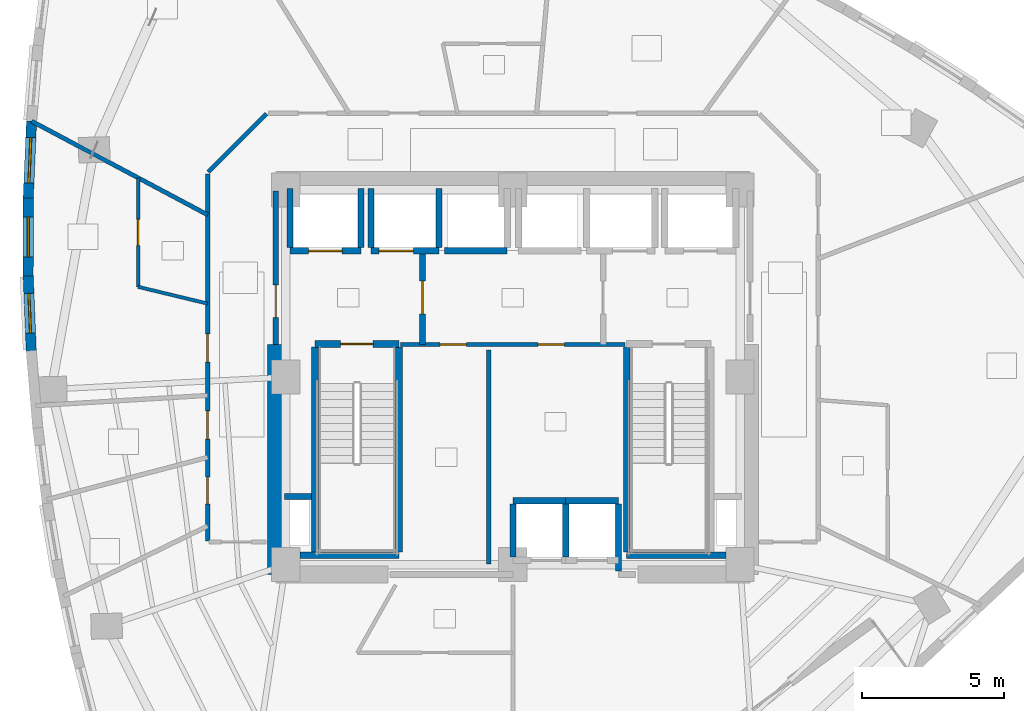
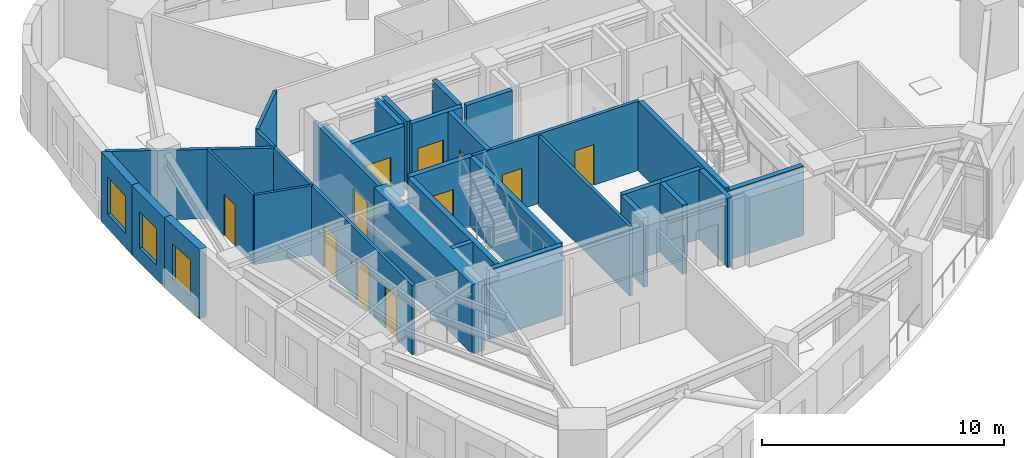
# One storey, part 6 of 12: 32 walls, 11 doors, 3 windows, 14 openings.
"""IFC4 building model written with IfcOpenShell, lengths in metres."""

from ifc_helpers import new_model, si_unit, direction, frame, frame_2d, origin, place, context, subcontext, project, spatial, rectangle, extrude, material, layer, layer_set, type_object, element, fill, save


model = new_model("IFC4")

# Units and contexts
model_context = context("Model", 3, precision=1e-05, world=origin(), true_north=direction((0.0, 1.0)))
body_context = subcontext(model_context, "Body", "Model", "MODEL_VIEW")
ifc_project = project(units=[si_unit("LENGTHUNIT", "METRE"), si_unit("AREAUNIT", "SQUARE_METRE"), si_unit("VOLUMEUNIT", "CUBIC_METRE"), si_unit("PLANEANGLEUNIT", "RADIAN"), si_unit("MASSUNIT", "GRAM", prefix="KILO")], contexts=[model_context])

# Site, building, storey
site_placement = place(None, origin())
site = spatial("IfcSite", under=ifc_project, at=site_placement, CompositionType="ELEMENT")
building_placement = place(site_placement, origin())
building = spatial("IfcBuilding", under=site, at=building_placement, Name="Ndelora Gate Hotel", CompositionType="ELEMENT")
storey_placement = place(building_placement, frame((0.0, 0.0, 149.75)))
storey = spatial("IfcBuildingStorey", under=building, at=storey_placement, Name="L37", CompositionType="ELEMENT", Elevation=149.75)

# Wall, opening, window
ifc_material_1 = material(Name="Clay Brick Masonry", Category="masonry")
ifc_layer_1 = layer(ifc_material_1, 0.360107421875)
ifc_layer_set_1 = layer_set([ifc_layer_1], Name="Clay Brick Masonry")
wall_type_1 = type_object("IfcWallType", Name="WL-BRICK-360", PredefinedType="SOLIDWALL", material=ifc_layer_set_1)
wall_1_placement = place(storey_placement, frame((-17.069580078125, 6.26220703125, 0.0), z_axis=(0.0, 0.0, 1.0), x_axis=(0.043014721574, 0.999074438532, 0.0)))
wall_1 = element("IfcWall", 1, at=wall_1_placement, inside=storey, type_object=wall_type_1, Name="L37 Tower Brick Pier-and-Spandrel Wall TWR-11", PredefinedType="SOLIDWALL", context=body_context, shape_type="SweptSolid", body=[
    extrude(rectangle(XDim=2.75830078125, YDim=0.360107421875, at=frame_2d((1.379150390625, 0.0))), origin(), (0.0, 0.0, 1.0), 3.5),
])
opening_1_placement = place(wall_1_placement, frame((0.5791015625, 0.0, 0.719970703125)))
opening_1 = element("IfcOpeningElement", 2, at=opening_1_placement, cuts=wall_1, Name="Opening W01", PredefinedType="OPENING", context=body_context, shape_type="SweptSolid", body=[
    extrude(rectangle(XDim=1.60009765625, YDim=1.8798828125, at=frame_2d((0.800048828125, 0.93994140625))), frame((0.0, 0.18994140625, 0.0), z_axis=(0.0, -1.0, 0.0), x_axis=(1.0, 0.0, 0.0)), (0.0, 0.0, 1.0), 0.380126953125),
])
ifc_material_2 = material(Name="Insulated Low-E Double Glazing in Bronze Aluminium Frame", Category="aluminium")
window_type_1 = type_object("IfcWindowType", Name="WN-DEEP-1600", PartitioningType="SINGLE_PANEL", PredefinedType="WINDOW", material=ifc_material_2)
window_1_placement = place(opening_1_placement, origin())
window_1 = element("IfcWindow", 3, at=window_1_placement, inside=storey, type_object=window_type_1, Name="L37 Deep-Set Brick-Pier Window W01", OverallHeight=1.8798828125, OverallWidth=1.60009765625, PartitioningType="SINGLE_PANEL", PredefinedType="WINDOW", context=body_context, shape_type="SweptSolid", body=[
    extrude(rectangle(XDim=1.60009765625, YDim=1.8798828125, at=frame_2d((0.800048828125, 0.93994140625))), frame((0.0, 0.030029296875, 0.0), z_axis=(0.0, -1.0, 0.0), x_axis=(1.0, 0.0, 0.0)), (0.0, 0.0, 1.0), 0.06005859375),
])
fill(opening_1, window_1)

wall_2_placement = place(storey_placement, frame((-17.071533203125, 3.568115234375, 0.0), z_axis=(0.0, 0.0, 1.0), x_axis=(0.001156582856, 0.999999331158, 0.0)))
wall_2 = element("IfcWall", 4, at=wall_2_placement, inside=storey, type_object=wall_type_1, Name="L37 Tower Brick Pier-and-Spandrel Wall TWR-12", PredefinedType="SOLIDWALL", context=body_context, shape_type="SweptSolid", body=[
    extrude(rectangle(XDim=2.744140625, YDim=0.360107421875, at=frame_2d((1.3720703125, 0.0))), origin(), (0.0, 0.0, 1.0), 3.5),
])
opening_2_placement = place(wall_2_placement, frame((0.672119140625, 0.0, 0.719970703125)))
opening_2 = element("IfcOpeningElement", 5, at=opening_2_placement, cuts=wall_2, Name="Opening W02", PredefinedType="OPENING", context=body_context, shape_type="SweptSolid", body=[
    extrude(rectangle(XDim=1.39990234375, YDim=1.840087890625, at=frame_2d((0.699951171875, 0.919921875))), frame((0.0, 0.18994140625, 0.0), z_axis=(0.0, -1.0, 0.0), x_axis=(1.0, 0.0, 0.0)), (0.0, 0.0, 1.0), 0.380126953125),
])
window_type_2 = type_object("IfcWindowType", Name="WN-DEEP-1400", PartitioningType="SINGLE_PANEL", PredefinedType="WINDOW", material=ifc_material_2)
window_2_placement = place(opening_2_placement, origin())
window_2 = element("IfcWindow", 6, at=window_2_placement, inside=storey, type_object=window_type_2, Name="L37 Deep-Set Brick-Pier Window W02", OverallHeight=1.840087890625, OverallWidth=1.39990234375, PartitioningType="SINGLE_PANEL", PredefinedType="WINDOW", context=body_context, shape_type="SweptSolid", body=[
    extrude(rectangle(XDim=1.39990234375, YDim=1.840087890625, at=frame_2d((0.699951171875, 0.919921875))), frame((0.0, 0.030029296875, 0.0), z_axis=(0.0, -1.0, 0.0), x_axis=(1.0, 0.0, 0.0)), (0.0, 0.0, 1.0), 0.06005859375),
])
fill(opening_2, window_2)

wall_3_placement = place(storey_placement, frame((-16.96044921875, 0.885986328125, 0.0), z_axis=(0.0, 0.0, 1.0), x_axis=(-0.040980646294, 0.999159940465, 0.0)))
wall_3 = element("IfcWall", 7, at=wall_3_placement, inside=storey, type_object=wall_type_1, Name="L37 Tower Brick Pier-and-Spandrel Wall TWR-13", PredefinedType="SOLIDWALL", context=body_context, shape_type="SweptSolid", body=[
    extrude(rectangle(XDim=2.734375, YDim=0.360107421875, at=frame_2d((1.3671875, 0.0))), origin(), (0.0, 0.0, 1.0), 3.5),
])
opening_3_placement = place(wall_3_placement, frame((0.667236328125, 0.0, 0.719970703125)))
opening_3 = element("IfcOpeningElement", 8, at=opening_3_placement, cuts=wall_3, Name="Opening W02", PredefinedType="OPENING", context=body_context, shape_type="SweptSolid", body=[
    extrude(rectangle(XDim=1.39990234375, YDim=1.840087890625, at=frame_2d((0.699951171875, 0.919921875))), frame((0.0, 0.18994140625, 0.0), z_axis=(0.0, -1.0, 0.0), x_axis=(1.0, 0.0, 0.0)), (0.0, 0.0, 1.0), 0.380126953125),
])
window_3_placement = place(opening_3_placement, origin())
window_3 = element("IfcWindow", 9, at=window_3_placement, inside=storey, type_object=window_type_2, Name="L37 Deep-Set Brick-Pier Window W02", OverallHeight=1.840087890625, OverallWidth=1.39990234375, PartitioningType="SINGLE_PANEL", PredefinedType="WINDOW", context=body_context, shape_type="SweptSolid", body=[
    extrude(rectangle(XDim=1.39990234375, YDim=1.840087890625, at=frame_2d((0.699951171875, 0.919921875))), frame((0.0, 0.030029296875, 0.0), z_axis=(0.0, -1.0, 0.0), x_axis=(1.0, 0.0, 0.0)), (0.0, 0.0, 1.0), 0.06005859375),
])
fill(opening_3, window_3)

# Wall
ifc_material_3 = material(Name="Concrete C60/75", Category="concrete")
ifc_layer_2 = layer(ifc_material_3, 0.60009765625)
ifc_layer_set_2 = layer_set([ifc_layer_2], Name="Concrete C60/75")
wall_type_2 = type_object("IfcWallType", Name="WL-CORE-600", PredefinedType="SHEAR", material=ifc_layer_set_2)
wall_4_placement = place(storey_placement, frame((-8.35009765625, -6.949951171875, 0.0), z_axis=(0.0, 0.0, 1.0), x_axis=(0.0, 1.0, 0.0)))
element("IfcWall", 10, at=wall_4_placement, inside=storey, type_object=wall_type_2, Name="L37 Core Shear Wall W", PredefinedType="SHEAR", context=body_context, shape_type="SweptSolid", body=[
    extrude(rectangle(XDim=8.099853515625, YDim=0.60009765625, at=frame_2d((4.0498046875, 0.0))), origin(), (0.0, 0.0, 1.0), 3.5),
])

# Wall, opening, door
ifc_material_4 = material(Name="Concrete C40/50", Category="concrete")
ifc_layer_3 = layer(ifc_material_4, 0.199951171875)
ifc_layer_set_3 = layer_set([ifc_layer_3], Name="Concrete C40/50")
wall_type_3 = type_object("IfcWallType", Name="WL-FIRE-200", PredefinedType="PARTITIONING", material=ifc_layer_set_3)
wall_5_placement = place(storey_placement, frame((-3.179931640625, 1.14990234375, 0.0), z_axis=(0.0, 0.0, 1.0), x_axis=(0.0, 1.0, 0.0)))
wall_5 = element("IfcWall", 11, at=wall_5_placement, inside=storey, type_object=wall_type_3, Name="L37 Interior Wall IW-2", PredefinedType="PARTITIONING", context=body_context, shape_type="SweptSolid", body=[
    extrude(rectangle(XDim=3.300048828125, YDim=0.199951171875, at=frame_2d((1.64990234375, 0.0))), origin(), (0.0, 0.0, 1.0), 3.5),
])
opening_4_placement = place(wall_5_placement, frame((1.080078125, 0.0, 0.0)))
opening_4 = element("IfcOpeningElement", 12, at=opening_4_placement, cuts=wall_5, Name="Opening FD1", PredefinedType="OPENING", context=body_context, shape_type="SweptSolid", body=[
    extrude(rectangle(XDim=1.14990234375, YDim=2.14990234375, at=frame_2d((0.574951171875, 1.074951171875))), frame((0.0, 0.10986328125, 0.0), z_axis=(0.0, -1.0, 0.0), x_axis=(1.0, 0.0, 0.0)), (0.0, 0.0, 1.0), 0.219970703125),
])
ifc_material_5 = material(Name="Fire-Rated Timber-Veneer Steel Core", Category="steel")
door_type_1 = type_object("IfcDoorType", Name="DR-FD60", OperationType="SINGLE_SWING_LEFT", PredefinedType="DOOR", material=ifc_material_5)
door_1_placement = place(opening_4_placement, origin())
door_1 = element("IfcDoor", 13, at=door_1_placement, inside=storey, type_object=door_type_1, Name="L37 Firefighting Lobby West Door", OperationType="SINGLE_SWING_RIGHT", OverallHeight=2.14990234375, OverallWidth=1.14990234375, PredefinedType="DOOR", context=body_context, shape_type="SweptSolid", body=[
    extrude(rectangle(XDim=1.14990234375, YDim=2.14990234375, at=frame_2d((0.574951171875, 1.074951171875))), frame((0.0, 0.02490234375, 0.0), z_axis=(0.0, -1.0, 0.0), x_axis=(1.0, 0.0, 0.0)), (0.0, 0.0, 1.0), 0.050048828125),
])
fill(opening_4, door_1)

wall_6_placement = place(storey_placement, frame((-8.35009765625, 1.14990234375, 0.0), z_axis=(0.0, 0.0, 1.0), x_axis=(0.0, 1.0, 0.0)))
wall_6 = element("IfcWall", 14, at=wall_6_placement, inside=storey, type_object=wall_type_3, Name="L37 Interior Wall IW-2", PredefinedType="PARTITIONING", context=body_context, shape_type="SweptSolid", body=[
    extrude(rectangle(XDim=5.400146484375, YDim=0.199951171875, at=frame_2d((2.7001953125, 0.0))), origin(), (0.0, 0.0, 1.0), 3.5),
])
opening_5_placement = place(wall_6_placement, frame((0.949951171875, 0.0, 0.0)))
opening_5 = element("IfcOpeningElement", 15, at=opening_5_placement, cuts=wall_6, Name="Opening FD1", PredefinedType="OPENING", context=body_context, shape_type="SweptSolid", body=[
    extrude(rectangle(XDim=1.14990234375, YDim=2.14990234375, at=frame_2d((0.574951171875, 1.074951171875))), frame((0.0, 0.10986328125, 0.0), z_axis=(0.0, -1.0, 0.0), x_axis=(1.0, 0.0, 0.0)), (0.0, 0.0, 1.0), 0.219970703125),
])
door_2_placement = place(opening_5_placement, origin())
door_2 = element("IfcDoor", 16, at=door_2_placement, inside=storey, type_object=door_type_1, Name="L37 Firefighting Lobby West Corridor Door", OperationType="SINGLE_SWING_LEFT", OverallHeight=2.14990234375, OverallWidth=1.14990234375, PredefinedType="DOOR", context=body_context, shape_type="SweptSolid", body=[
    extrude(rectangle(XDim=1.14990234375, YDim=2.14990234375, at=frame_2d((0.574951171875, 1.074951171875))), frame((0.0, 0.02490234375, 0.0), z_axis=(0.0, -1.0, 0.0), x_axis=(1.0, 0.0, 0.0)), (0.0, 0.0, 1.0), 0.050048828125),
])
fill(opening_5, door_2)

# Wall, openings, doors
ifc_material_6 = material(Name="Fire-Rated Gypsum Stud Partition", Category="gypsum")
ifc_layer_4 = layer(ifc_material_6, 0.14990234375)
ifc_layer_set_4 = layer_set([ifc_layer_4], Name="Fire-Rated Gypsum Stud Partition")
wall_type_4 = type_object("IfcWallType", Name="WL-PART-150", PredefinedType="PARTITIONING", material=ifc_layer_set_4)
wall_7_placement = place(storey_placement, frame((3.949951171875, 1.14990234375, 0.0), z_axis=(0.0, 0.0, 1.0), x_axis=(-1.0, 0.0, 0.0)))
wall_7 = element("IfcWall", 17, at=wall_7_placement, inside=storey, type_object=wall_type_4, Name="L37 Interior Wall IW-5", PredefinedType="PARTITIONING", context=body_context, shape_type="SweptSolid", body=[
    extrude(rectangle(XDim=7.89990234375, YDim=0.14990234375, at=frame_2d((3.949951171875, 0.0))), origin(), (0.0, 0.0, 1.0), 3.5),
])
opening_6_placement = place(wall_7_placement, frame((5.590087890625, 0.0, 0.0)))
opening_6 = element("IfcOpeningElement", 18, at=opening_6_placement, cuts=wall_7, Name="Opening D04", PredefinedType="OPENING", context=body_context, shape_type="SweptSolid", body=[
    extrude(rectangle(XDim=0.919921875, YDim=2.050048828125, at=frame_2d((0.4599609375, 1.02490234375))), frame((0.0, 0.0849609375, 0.0), z_axis=(0.0, -1.0, 0.0), x_axis=(1.0, 0.0, 0.0)), (0.0, 0.0, 1.0), 0.169921875),
])
opening_7_placement = place(wall_7_placement, frame((2.139892578125, 0.0, 0.0)))
opening_7 = element("IfcOpeningElement", 19, at=opening_7_placement, cuts=wall_7, Name="Opening D04", PredefinedType="OPENING", context=body_context, shape_type="SweptSolid", body=[
    extrude(rectangle(XDim=0.919921875, YDim=2.050048828125, at=frame_2d((0.4599609375, 1.02490234375))), frame((0.0, 0.0849609375, 0.0), z_axis=(0.0, -1.0, 0.0), x_axis=(1.0, 0.0, 0.0)), (0.0, 0.0, 1.0), 0.169921875),
])
ifc_material_7 = material(Name="Painted Steel Core Service Door", Category="steel")
door_type_2 = type_object("IfcDoorType", Name="DR-SER-920", OperationType="SINGLE_SWING_LEFT", PredefinedType="DOOR", material=ifc_material_7)
door_3_placement = place(opening_6_placement, origin())
door_3 = element("IfcDoor", 20, at=door_3_placement, inside=storey, type_object=door_type_2, Name="L37 Core Electrical Switchroom Door", OperationType="SINGLE_SWING_LEFT", OverallHeight=2.050048828125, OverallWidth=0.919921875, PredefinedType="DOOR", context=body_context, shape_type="SweptSolid", body=[
    extrude(rectangle(XDim=0.919921875, YDim=2.050048828125, at=frame_2d((0.4599609375, 1.02490234375))), frame((0.0, 0.02490234375, 0.0), z_axis=(0.0, -1.0, 0.0), x_axis=(1.0, 0.0, 0.0)), (0.0, 0.0, 1.0), 0.050048828125),
])
fill(opening_6, door_3)
door_4_placement = place(opening_7_placement, origin())
door_4 = element("IfcDoor", 21, at=door_4_placement, inside=storey, type_object=door_type_2, Name="L37 Central Linen Equipment Store Door", OperationType="SINGLE_SWING_RIGHT", OverallHeight=2.050048828125, OverallWidth=0.919921875, PredefinedType="DOOR", context=body_context, shape_type="SweptSolid", body=[
    extrude(rectangle(XDim=0.919921875, YDim=2.050048828125, at=frame_2d((0.4599609375, 1.02490234375))), frame((0.0, 0.02490234375, 0.0), z_axis=(0.0, -1.0, 0.0), x_axis=(1.0, 0.0, 0.0)), (0.0, 0.0, 1.0), 0.050048828125),
])
fill(opening_7, door_4)

# Walls
wall_8_placement = place(storey_placement, frame((-0.85009765625, -6.580078125, 0.0), z_axis=(0.0, 0.0, 1.0), x_axis=(0.0, 1.0, 0.0)))
element("IfcWall", 22, at=wall_8_placement, inside=storey, type_object=wall_type_4, Name="L37 Interior Wall IW-5", PredefinedType="PARTITIONING", context=body_context, shape_type="SweptSolid", body=[
    extrude(rectangle(XDim=7.530029296875, YDim=0.14990234375, at=frame_2d((3.76513671875, 0.0))), origin(), (0.0, 0.0, 1.0), 3.5),
])
wall_9_placement = place(storey_placement, frame((-10.7216796875, 7.228271484375, 0.0), z_axis=(0.0, 0.0, 1.0), x_axis=(0.707106781187, 0.707106781187, 0.0)))
element("IfcWall", 23, at=wall_9_placement, inside=storey, type_object=wall_type_4, Name="L37 Interior Wall IW-5", PredefinedType="PARTITIONING", context=body_context, shape_type="SweptSolid", body=[
    extrude(rectangle(XDim=2.889892578125, YDim=0.14990234375, at=frame_2d((1.44482421875, 0.0))), origin(), (0.0, 0.0, 1.0), 3.5),
])

# Wall, openings, doors
wall_10_placement = place(storey_placement, frame((-10.75, -5.760009765625, 0.0), z_axis=(0.0, 0.0, 1.0), x_axis=(0.0, 1.0, 0.0)))
wall_10 = element("IfcWall", 24, at=wall_10_placement, inside=storey, type_object=wall_type_4, Name="L37 Interior Wall IW-5", PredefinedType="PARTITIONING", context=body_context, shape_type="SweptSolid", body=[
    extrude(rectangle(XDim=12.919921875, YDim=0.14990234375, at=frame_2d((6.4599609375, 0.0))), origin(), (0.0, 0.0, 1.0), 3.5),
])
opening_8_placement = place(wall_10_placement, frame((1.29345703125, 0.0, 0.0)))
opening_8 = element("IfcOpeningElement", 25, at=opening_8_placement, cuts=wall_10, Name="Opening D05", PredefinedType="OPENING", context=body_context, shape_type="SweptSolid", body=[
    extrude(rectangle(XDim=0.949951171875, YDim=2.10009765625, at=frame_2d((0.47509765625, 1.050048828125))), frame((0.0, 0.0849609375, 0.0), z_axis=(0.0, -1.0, 0.0), x_axis=(1.0, 0.0, 0.0)), (0.0, 0.0, 1.0), 0.169921875),
])
opening_9_placement = place(wall_10_placement, frame((3.575439453125, 0.0, 0.0)))
opening_9 = element("IfcOpeningElement", 26, at=opening_9_placement, cuts=wall_10, Name="Opening D01", PredefinedType="OPENING", context=body_context, shape_type="SweptSolid", body=[
    extrude(rectangle(XDim=1.0, YDim=2.14990234375, at=frame_2d((0.5, 1.074951171875))), frame((0.0, 0.0849609375, 0.0), z_axis=(0.0, -1.0, 0.0), x_axis=(1.0, 0.0, 0.0)), (0.0, 0.0, 1.0), 0.169921875),
])
opening_10_placement = place(wall_10_placement, frame((6.286865234375, 0.0, 0.0)))
opening_10 = element("IfcOpeningElement", 27, at=opening_10_placement, cuts=wall_10, Name="Opening D01", PredefinedType="OPENING", context=body_context, shape_type="SweptSolid", body=[
    extrude(rectangle(XDim=1.0, YDim=2.14990234375, at=frame_2d((0.5, 1.074951171875))), frame((0.0, 0.0849609375, 0.0), z_axis=(0.0, -1.0, 0.0), x_axis=(1.0, 0.0, 0.0)), (0.0, 0.0, 1.0), 0.169921875),
])
ifc_material_8 = material(Name="Accessible Restroom Wide-Clearance Door", Category="wood")
door_type_3 = type_object("IfcDoorType", Name="DR-ACC-950", OperationType="SINGLE_SWING_LEFT", PredefinedType="DOOR", material=ifc_material_8)
door_5_placement = place(opening_8_placement, origin())
door_5 = element("IfcDoor", 28, at=door_5_placement, inside=storey, type_object=door_type_3, Name="L37 Accessible WC Entrance Door", OperationType="SINGLE_SWING_RIGHT", OverallHeight=2.10009765625, OverallWidth=0.949951171875, PredefinedType="DOOR", context=body_context, shape_type="SweptSolid", body=[
    extrude(rectangle(XDim=0.949951171875, YDim=2.10009765625, at=frame_2d((0.47509765625, 1.050048828125))), frame((0.0, 0.02490234375, 0.0), z_axis=(0.0, -1.0, 0.0), x_axis=(1.0, 0.0, 0.0)), (0.0, 0.0, 1.0), 0.050048828125),
])
fill(opening_8, door_5)
ifc_material_9 = material(Name="Acoustic Hardwood Guest Entrance Door", Category="wood")
door_type_4 = type_object("IfcDoorType", Name="DR-COR-1000", OperationType="SINGLE_SWING_LEFT", PredefinedType="DOOR", material=ifc_material_9)
door_6_placement = place(opening_9_placement, origin())
door_6 = element("IfcDoor", 29, at=door_6_placement, inside=storey, type_object=door_type_4, Name="L37 Housekeeping and Linen Room Entrance Door", OperationType="SINGLE_SWING_LEFT", OverallHeight=2.14990234375, OverallWidth=1.0, PredefinedType="DOOR", context=body_context, shape_type="SweptSolid", body=[
    extrude(rectangle(XDim=1.0, YDim=2.14990234375, at=frame_2d((0.5, 1.074951171875))), frame((0.0, 0.02490234375, 0.0), z_axis=(0.0, -1.0, 0.0), x_axis=(1.0, 0.0, 0.0)), (0.0, 0.0, 1.0), 0.050048828125),
])
fill(opening_9, door_6)
door_7_placement = place(opening_10_placement, origin())
door_7 = element("IfcDoor", 30, at=door_7_placement, inside=storey, type_object=door_type_4, Name="L37 Club King Guest Room 4004 Entrance Door", OperationType="SINGLE_SWING_RIGHT", OverallHeight=2.14990234375, OverallWidth=1.0, PredefinedType="DOOR", context=body_context, shape_type="SweptSolid", body=[
    extrude(rectangle(XDim=1.0, YDim=2.14990234375, at=frame_2d((0.5, 1.074951171875))), frame((0.0, 0.02490234375, 0.0), z_axis=(0.0, -1.0, 0.0), x_axis=(1.0, 0.0, 0.0)), (0.0, 0.0, 1.0), 0.050048828125),
])
fill(opening_10, door_7)

# Walls
wall_11_placement = place(storey_placement, frame((-10.75, 5.718994140625, 0.0), z_axis=(0.0, 0.0, 1.0), x_axis=(-0.882843253565, 0.469667743873, 0.0)))
element("IfcWall", 31, at=wall_11_placement, inside=storey, type_object=wall_type_4, Name="L37 Interior Wall IW-5", PredefinedType="PARTITIONING", context=body_context, shape_type="SweptSolid", body=[
    extrude(rectangle(XDim=7.022705078125, YDim=0.14990234375, at=frame_2d((3.51123046875, 0.0))), origin(), (0.0, 0.0, 1.0), 3.5),
])
ifc_layer_5 = layer(ifc_material_4, 0.219970703125)
ifc_layer_set_5 = layer_set([ifc_layer_5], Name="Concrete C40/50")
wall_type_5 = type_object("IfcWallType", Name="WL-SHAFT-220", PredefinedType="PARTITIONING", material=ifc_layer_set_5)
wall_12_placement = place(storey_placement, frame((-8.050048828125, -4.199951171875, 0.0), z_axis=(0.0, 0.0, 1.0), x_axis=(1.0, 0.0, 0.0)))
element("IfcWall", 32, at=wall_12_placement, inside=storey, type_object=wall_type_5, Name="L37 Interior Wall IW-1", PredefinedType="PARTITIONING", context=body_context, shape_type="SweptSolid", body=[
    extrude(rectangle(XDim=0.9599609375, YDim=0.219970703125, at=frame_2d((0.47998046875, 0.0))), origin(), (0.0, 0.0, 1.0), 3.5),
])

# Wall, opening, door
wall_13_placement = place(storey_placement, frame((-7.85009765625, 4.449951171875, 0.0), z_axis=(0.0, 0.0, 1.0), x_axis=(1.0, 0.0, 0.0)))
wall_13 = element("IfcWall", 33, at=wall_13_placement, inside=storey, type_object=wall_type_5, Name="L37 Interior Wall IW-1", PredefinedType="PARTITIONING", context=body_context, shape_type="SweptSolid", body=[
    extrude(rectangle(XDim=2.5, YDim=0.219970703125, at=frame_2d((1.25, 0.0))), origin(), (0.0, 0.0, 1.0), 3.5),
])
opening_11_placement = place(wall_13_placement, frame((0.659912109375, 0.0, 0.0)))
opening_11 = element("IfcOpeningElement", 34, at=opening_11_placement, cuts=wall_13, Name="Opening LD5", PredefinedType="OPENING", context=body_context, shape_type="SweptSolid", body=[
    extrude(rectangle(XDim=1.179931640625, YDim=2.14990234375, at=frame_2d((0.58984375, 1.074951171875))), frame((0.0, 0.1201171875, 0.0), z_axis=(0.0, -1.0, 0.0), x_axis=(1.0, 0.0, 0.0)), (0.0, 0.0, 1.0), 0.239990234375),
])
ifc_material_10 = material(Name="Firefighting Lift Stainless Sliding Landing Door", Category="metal")
door_type_5 = type_object("IfcDoorType", Name="DR-LD5", OperationType="DOUBLE_DOOR_SLIDING", PredefinedType="DOOR", material=ifc_material_10)
door_8_placement = place(opening_11_placement, origin())
door_8 = element("IfcDoor", 35, at=door_8_placement, inside=storey, type_object=door_type_5, Name="L37 Lift Landing Sliding Door FFL1", OperationType="DOUBLE_DOOR_SLIDING", OverallHeight=2.14990234375, OverallWidth=1.179931640625, PredefinedType="DOOR", context=body_context, shape_type="SweptSolid", body=[
    extrude(rectangle(XDim=1.179931640625, YDim=2.14990234375, at=frame_2d((0.58984375, 1.074951171875))), frame((0.0, 0.02490234375, 0.0), z_axis=(0.0, -1.0, 0.0), x_axis=(1.0, 0.0, 0.0)), (0.0, 0.0, 1.0), 0.050048828125),
])
fill(opening_11, door_8)

# Walls
wall_14_placement = place(storey_placement, frame((-7.85009765625, 4.570068359375, 0.0), z_axis=(0.0, 0.0, 1.0), x_axis=(0.0, 1.0, 0.0)))
element("IfcWall", 36, at=wall_14_placement, inside=storey, type_object=wall_type_5, Name="L37 Interior Wall IW-1", PredefinedType="PARTITIONING", context=body_context, shape_type="SweptSolid", body=[
    extrude(rectangle(XDim=2.079833984375, YDim=0.219970703125, at=frame_2d((1.0400390625, 0.0))), origin(), (0.0, 0.0, 1.0), 3.1201171875),
])
wall_15_placement = place(storey_placement, frame((-5.35009765625, 4.570068359375, 0.0), z_axis=(0.0, 0.0, 1.0), x_axis=(0.0, 1.0, 0.0)))
element("IfcWall", 37, at=wall_15_placement, inside=storey, type_object=wall_type_5, Name="L37 Interior Wall IW-1", PredefinedType="PARTITIONING", context=body_context, shape_type="SweptSolid", body=[
    extrude(rectangle(XDim=2.079833984375, YDim=0.219970703125, at=frame_2d((1.0400390625, 0.0))), origin(), (0.0, 0.0, 1.0), 3.5),
])

# Wall, opening, door
wall_16_placement = place(storey_placement, frame((-5.0, 4.449951171875, 0.0), z_axis=(0.0, 0.0, 1.0), x_axis=(1.0, 0.0, 0.0)))
wall_16 = element("IfcWall", 38, at=wall_16_placement, inside=storey, type_object=wall_type_5, Name="L37 Interior Wall IW-1", PredefinedType="PARTITIONING", context=body_context, shape_type="SweptSolid", body=[
    extrude(rectangle(XDim=2.39990234375, YDim=0.219970703125, at=frame_2d((1.199951171875, 0.0))), origin(), (0.0, 0.0, 1.0), 3.5),
])
opening_12_placement = place(wall_16_placement, frame((0.280029296875, 0.0, 0.0)))
opening_12 = element("IfcOpeningElement", 39, at=opening_12_placement, cuts=wall_16, Name="Opening LD6", PredefinedType="OPENING", context=body_context, shape_type="SweptSolid", body=[
    extrude(rectangle(XDim=1.219970703125, YDim=2.14990234375, at=frame_2d((0.60986328125, 1.074951171875))), frame((0.0, 0.1201171875, 0.0), z_axis=(0.0, -1.0, 0.0), x_axis=(1.0, 0.0, 0.0)), (0.0, 0.0, 1.0), 0.239990234375),
])
ifc_material_11 = material(Name="Heavy-Duty Service Lift Sliding Landing Door", Category="wood")
door_type_6 = type_object("IfcDoorType", Name="DR-LD6", OperationType="DOUBLE_DOOR_SLIDING", PredefinedType="DOOR", material=ifc_material_11)
door_9_placement = place(opening_12_placement, origin())
door_9 = element("IfcDoor", 40, at=door_9_placement, inside=storey, type_object=door_type_6, Name="L37 Lift Landing Sliding Door SVL1", OperationType="DOUBLE_DOOR_SLIDING", OverallHeight=2.14990234375, OverallWidth=1.219970703125, PredefinedType="DOOR", context=body_context, shape_type="SweptSolid", body=[
    extrude(rectangle(XDim=1.219970703125, YDim=2.14990234375, at=frame_2d((0.60986328125, 1.074951171875))), frame((0.0, 0.02490234375, 0.0), z_axis=(0.0, -1.0, 0.0), x_axis=(1.0, 0.0, 0.0)), (0.0, 0.0, 1.0), 0.050048828125),
])
fill(opening_12, door_9)

# Walls
for number, where, z_axis, x_axis, name in (
    (41, (-5.0, 4.570068359375, 0.0), (0.0, 0.0, 1.0), (0.0, 1.0, 0.0), "L37 Interior Wall IW-1"),
    (42, (-2.60009765625, 4.570068359375, 0.0), (0.0, 0.0, 1.0), (0.0, 1.0, 0.0), "L37 Interior Wall IW-1"),
):
    element("IfcWall", number, at=place(storey_placement, frame(where, z_axis=z_axis, x_axis=x_axis)), inside=storey, type_object=wall_type_5, Name=name, PredefinedType="PARTITIONING", context=body_context, shape_type="SweptSolid", body=[
        extrude(rectangle(XDim=2.079833984375, YDim=0.219970703125, at=frame_2d((1.0400390625, 0.0))), origin(), (0.0, 0.0, 1.0), 3.5),
    ])
for number, where, z_axis, x_axis, name in (
    (43, (0.0, -4.35009765625, 0.0), (0.0, 0.0, 1.0), (1.0, 0.0, 0.0), "L37 Interior Wall IW-1"),
    (44, (0.0, -6.330078125, 0.0), (0.0, 0.0, 1.0), (0.0, 1.0, 0.0), "L37 Interior Wall IW-1"),
    (45, (1.860107421875, -6.330078125, 0.0), (0.0, 0.0, 1.0), (0.0, 1.0, 0.0), "L37 Interior Wall IW-1"),
):
    element("IfcWall", number, at=place(storey_placement, frame(where, z_axis=z_axis, x_axis=x_axis)), inside=storey, type_object=wall_type_5, Name=name, PredefinedType="PARTITIONING", context=body_context, shape_type="SweptSolid", body=[
        extrude(rectangle(XDim=1.860107421875, YDim=0.219970703125, at=frame_2d((0.93017578125, 0.0))), origin(), (0.0, 0.0, 1.0), 3.5),
    ])
wall_17_placement = place(storey_placement, frame((1.860107421875, -4.35009765625, 0.0), z_axis=(0.0, 0.0, 1.0), x_axis=(1.0, 0.0, 0.0)))
element("IfcWall", 46, at=wall_17_placement, inside=storey, type_object=wall_type_5, Name="L37 Interior Wall IW-1", PredefinedType="PARTITIONING", context=body_context, shape_type="SweptSolid", body=[
    extrude(rectangle(XDim=1.85986328125, YDim=0.219970703125, at=frame_2d((0.929931640625, 0.0))), origin(), (0.0, 0.0, 1.0), 3.5),
])
wall_18_placement = place(storey_placement, frame((3.719970703125, -6.830078125, 0.0), z_axis=(0.0, 0.0, 1.0), x_axis=(0.0, 1.0, 0.0)))
element("IfcWall", 47, at=wall_18_placement, inside=storey, type_object=wall_type_5, Name="L37 Interior Wall IW-1", PredefinedType="PARTITIONING", context=body_context, shape_type="SweptSolid", body=[
    extrude(rectangle(XDim=2.360107421875, YDim=0.219970703125, at=frame_2d((1.18017578125, 0.0))), origin(), (0.0, 0.0, 1.0), 3.5),
])
wall_19_placement = place(storey_placement, frame((-2.39990234375, 4.449951171875, 0.0), z_axis=(0.0, 0.0, 1.0), x_axis=(1.0, 0.0, 0.0)))
element("IfcWall", 48, at=wall_19_placement, inside=storey, type_object=wall_type_5, Name="L37 Interior Wall IW-1", PredefinedType="PARTITIONING", context=body_context, shape_type="SweptSolid", body=[
    extrude(rectangle(XDim=2.199951171875, YDim=0.219970703125, at=frame_2d((1.10009765625, 0.0))), origin(), (0.0, 0.0, 1.0), 3.5),
])
ifc_material_12 = material(Name="Concrete C50/60", Category="concrete")
ifc_layer_6 = layer(ifc_material_12, 0.239990234375)
ifc_layer_set_6 = layer_set([ifc_layer_6], Name="Concrete C50/60")
wall_type_6 = type_object("IfcWallType", Name="WL-STAIR-240", PredefinedType="SHEAR", material=ifc_layer_set_6)
wall_20_placement = place(storey_placement, frame((-6.969970703125, -6.159912109375, 0.0), z_axis=(0.0, 0.0, 1.0), x_axis=(0.0, 1.0, 0.0)))
element("IfcWall", 49, at=wall_20_placement, inside=storey, type_object=wall_type_6, Name="L37 Stair Core Shear Wall SW-ST", PredefinedType="SHEAR", context=body_context, shape_type="SweptSolid", body=[
    extrude(rectangle(XDim=7.219970703125, YDim=0.239990234375, at=frame_2d((3.60986328125, 0.0))), origin(), (0.0, 0.0, 1.0), 3.5),
])
wall_21_placement = place(storey_placement, frame((-7.5, -6.27001953125, 0.0), z_axis=(0.0, 0.0, 1.0), x_axis=(1.0, 0.0, 0.0)))
element("IfcWall", 50, at=wall_21_placement, inside=storey, type_object=wall_type_6, Name="L37 Stair Core Shear Wall SW-ST", PredefinedType="SHEAR", context=body_context, shape_type="SweptSolid", body=[
    extrude(rectangle(XDim=3.489990234375, YDim=0.239990234375, at=frame_2d((1.7451171875, 0.0))), origin(), (0.0, 0.0, 1.0), 3.5),
])
wall_22_placement = place(storey_placement, frame((-4.010009765625, -6.159912109375, 0.0), z_axis=(0.0, 0.0, 1.0), x_axis=(0.0, 1.0, 0.0)))
element("IfcWall", 51, at=wall_22_placement, inside=storey, type_object=wall_type_6, Name="L37 Stair Core Shear Wall SW-ST", PredefinedType="SHEAR", context=body_context, shape_type="SweptSolid", body=[
    extrude(rectangle(XDim=7.219970703125, YDim=0.239990234375, at=frame_2d((3.60986328125, 0.0))), origin(), (0.0, 0.0, 1.0), 3.5),
])

# Wall, opening, door
wall_23_placement = place(storey_placement, frame((-6.969970703125, 1.169921875, 0.0), z_axis=(0.0, 0.0, 1.0), x_axis=(1.0, 0.0, 0.0)))
wall_23 = element("IfcWall", 52, at=wall_23_placement, inside=storey, type_object=wall_type_6, Name="L37 Stair Core Shear Wall SW-ST", PredefinedType="SHEAR", context=body_context, shape_type="SweptSolid", body=[
    extrude(rectangle(XDim=2.9599609375, YDim=0.239990234375, at=frame_2d((1.47998046875, 0.0))), origin(), (0.0, 0.0, 1.0), 3.5),
])
opening_13_placement = place(wall_23_placement, frame((0.89990234375, 0.0, 0.0)))
opening_13 = element("IfcOpeningElement", 53, at=opening_13_placement, cuts=wall_23, Name="Opening FD1", PredefinedType="OPENING", context=body_context, shape_type="SweptSolid", body=[
    extrude(rectangle(XDim=1.14990234375, YDim=2.14990234375, at=frame_2d((0.574951171875, 1.074951171875))), frame((0.0, 0.1298828125, 0.0), z_axis=(0.0, -1.0, 0.0), x_axis=(1.0, 0.0, 0.0)), (0.0, 0.0, 1.0), 0.260009765625),
])
door_10_placement = place(opening_13_placement, origin())
door_10 = element("IfcDoor", 54, at=door_10_placement, inside=storey, type_object=door_type_1, Name="L37 Exit Stair ST4 Door", OperationType="SINGLE_SWING_LEFT", OverallHeight=2.14990234375, OverallWidth=1.14990234375, PredefinedType="DOOR", context=body_context, shape_type="SweptSolid", body=[
    extrude(rectangle(XDim=1.14990234375, YDim=2.14990234375, at=frame_2d((0.574951171875, 1.074951171875))), frame((0.0, 0.02490234375, 0.0), z_axis=(0.0, -1.0, 0.0), x_axis=(1.0, 0.0, 0.0)), (0.0, 0.0, 1.0), 0.050048828125),
])
fill(opening_13, door_10)

# Walls
wall_24_placement = place(storey_placement, frame((4.010009765625, -6.159912109375, 0.0), z_axis=(0.0, 0.0, 1.0), x_axis=(0.0, 1.0, 0.0)))
element("IfcWall", 55, at=wall_24_placement, inside=storey, type_object=wall_type_6, Name="L37 Stair Core Shear Wall SW-ST", PredefinedType="SHEAR", context=body_context, shape_type="SweptSolid", body=[
    extrude(rectangle(XDim=7.219970703125, YDim=0.239990234375, at=frame_2d((3.60986328125, 0.0))), origin(), (0.0, 0.0, 1.0), 3.5),
])
wall_25_placement = place(storey_placement, frame((4.010009765625, -6.27001953125, 0.0), z_axis=(0.0, 0.0, 1.0), x_axis=(1.0, 0.0, 0.0)))
element("IfcWall", 56, at=wall_25_placement, inside=storey, type_object=wall_type_6, Name="L37 Stair Core Shear Wall SW-ST", PredefinedType="SHEAR", context=body_context, shape_type="SweptSolid", body=[
    extrude(rectangle(XDim=3.489990234375, YDim=0.239990234375, at=frame_2d((1.7451171875, 0.0))), origin(), (0.0, 0.0, 1.0), 3.5),
])
ifc_material_13 = material(Name="Moisture-Resistant Bathroom Tile Partition", Category="gypsum")
ifc_layer_7 = layer(ifc_material_13, 0.1201171875)
ifc_layer_set_7 = layer_set([ifc_layer_7], Name="Moisture-Resistant Bathroom Tile Partition")
wall_type_7 = type_object("IfcWallType", Name="WL-WET-120", PredefinedType="PARTITIONING", material=ifc_layer_set_7)
wall_26_placement = place(storey_placement, frame((-10.75, 2.591796875, 0.0), z_axis=(0.0, 0.0, 1.0), x_axis=(-0.972131712449, 0.234435350685, 0.0)))
element("IfcWall", 57, at=wall_26_placement, inside=storey, type_object=wall_type_7, Name="L37 Interior Wall IW-7", PredefinedType="PARTITIONING", context=body_context, shape_type="SweptSolid", body=[
    extrude(rectangle(XDim=2.520263671875, YDim=0.1201171875, at=frame_2d((1.26025390625, 0.0))), origin(), (0.0, 0.0, 1.0), 3.5),
])

# Wall, opening, door
wall_27_placement = place(storey_placement, frame((-13.199951171875, 3.1826171875, 0.0), z_axis=(0.0, 0.0, 1.0), x_axis=(0.0, 1.0, 0.0)))
wall_27 = element("IfcWall", 58, at=wall_27_placement, inside=storey, type_object=wall_type_7, Name="L37 Interior Wall IW-7", PredefinedType="PARTITIONING", context=body_context, shape_type="SweptSolid", body=[
    extrude(rectangle(XDim=3.83984375, YDim=0.1201171875, at=frame_2d((1.919921875, 0.0))), origin(), (0.0, 0.0, 1.0), 3.5),
])
opening_14_placement = place(wall_27_placement, frame((1.4599609375, 0.0, 0.0)))
opening_14 = element("IfcOpeningElement", 59, at=opening_14_placement, cuts=wall_27, Name="Opening D03", PredefinedType="OPENING", context=body_context, shape_type="SweptSolid", body=[
    extrude(rectangle(XDim=0.919921875, YDim=2.10009765625, at=frame_2d((0.4599609375, 1.050048828125))), frame((0.0, 0.070068359375, 0.0), z_axis=(0.0, -1.0, 0.0), x_axis=(1.0, 0.0, 0.0)), (0.0, 0.0, 1.0), 0.14013671875),
])
ifc_material_14 = material(Name="Moisture-Resistant Hardwood En-Suite Door", Category="wood")
door_type_7 = type_object("IfcDoorType", Name="DR-BATH-920", OperationType="SINGLE_SWING_LEFT", PredefinedType="DOOR", material=ifc_material_14)
door_11_placement = place(opening_14_placement, origin())
door_11 = element("IfcDoor", 60, at=door_11_placement, inside=storey, type_object=door_type_7, Name="L37 En-suite Bathroom 4004 Door", OperationType="SINGLE_SWING_LEFT", OverallHeight=2.10009765625, OverallWidth=0.919921875, PredefinedType="DOOR", context=body_context, shape_type="SweptSolid", body=[
    extrude(rectangle(XDim=0.919921875, YDim=2.10009765625, at=frame_2d((0.4599609375, 1.050048828125))), frame((0.0, 0.02490234375, 0.0), z_axis=(0.0, -1.0, 0.0), x_axis=(1.0, 0.0, 0.0)), (0.0, 0.0, 1.0), 0.050048828125),
])
fill(opening_14, door_11)

save(model, "model.ifc")
